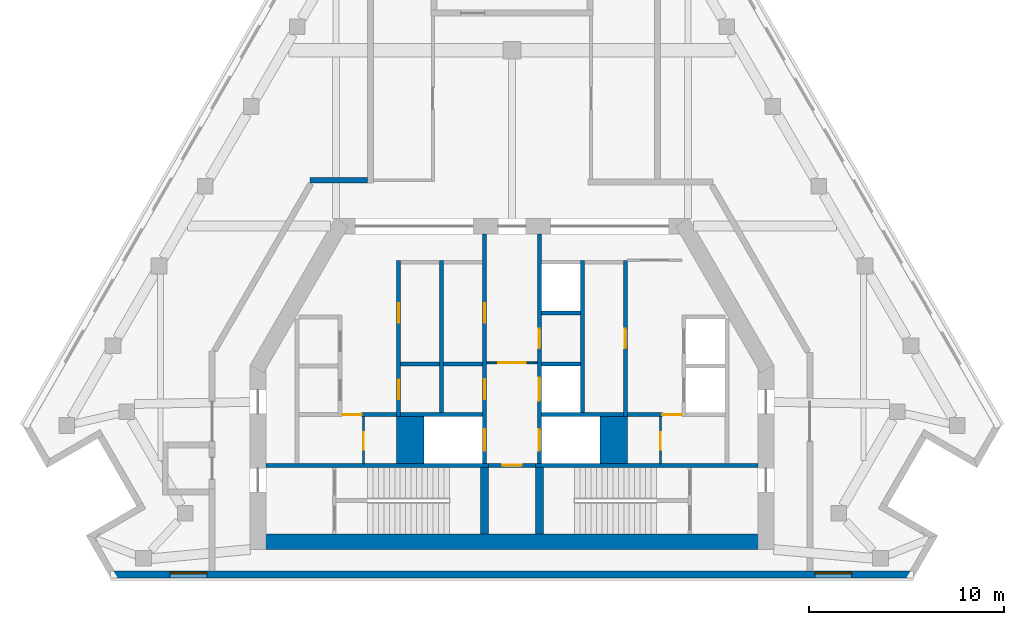
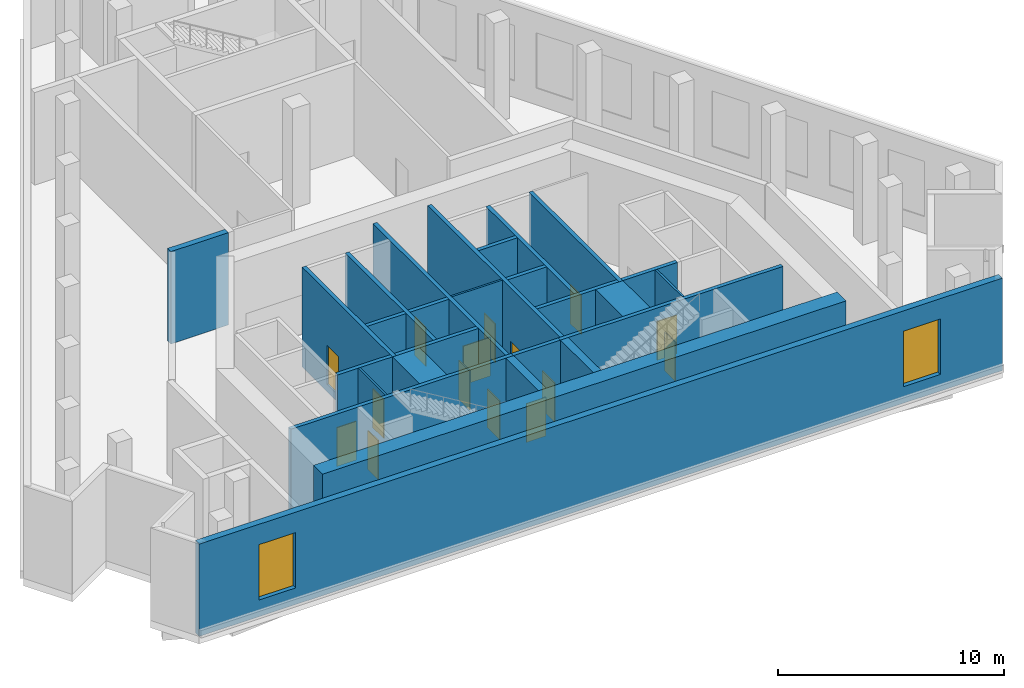
# One storey, part 3 of 8: 27 walls, 15 doors, 2 windows, 17 openings.
"""IFC4 building model written with IfcOpenShell, lengths in metres."""

import ifcopenshell
import ifcopenshell.guid

model = None  # the IFC model being written
_history = None  # IfcOwnerHistory: only IFC2X3 demands one
_inside = {}  # id of a spatial element -> (the spatial element, [elements in it])
_under = {}  # id of a project, library or spatial element -> (it, [spatial elements below it])
_declared = {}  # id of a project -> (the project, [libraries it declares])
_typed = {}  # id of a type object -> (the type object, [elements of that type])
_made_of = {}  # id of a material, layer set ... -> (it, [elements and type objects made of it])


def new_model(schema):
    """Start an empty IFC model of exactly this schema.

    Asked for "IFC4X3", IfcOpenShell would pick the latest addendum, in which some entities
    have other attributes; the version numbers below select the first issue.
    IFC2X3 requires an IfcOwnerHistory on every rooted entity: one is made here for all.
    """
    global model, _history
    if schema == "IFC4X3":
        model = ifcopenshell.file(schema_version=(4, 3, 0, 0))
    else:
        model = ifcopenshell.file(schema=schema)
    _inside.clear()
    _under.clear()
    _declared.clear()
    _typed.clear()
    _made_of.clear()
    _history = None
    if model.schema == "IFC2X3":
        org = make("IfcOrganization", Name="unknown")
        user = make(
            "IfcPersonAndOrganization",
            ThePerson=make("IfcPerson", FamilyName="unknown"),
            TheOrganization=org,
        )
        app = make(
            "IfcApplication",
            ApplicationDeveloper=org,
            Version="unknown",
            ApplicationFullName="unknown",
            ApplicationIdentifier="unknown",
        )
        _history = make(
            "IfcOwnerHistory",
            OwningUser=user,
            OwningApplication=app,
            ChangeAction="ADDED",
            CreationDate=0,
        )
    return model


def make(cls, **values):
    """One entity of the class cls with the attributes given. An attribute that is None is left unset."""
    return model.create_entity(
        cls, **{name: value for name, value in values.items() if value is not None}
    )


def rooted(cls, **values):
    """An entity with a GlobalId (a new one), such as an element, a storey or a relation."""
    return make(cls, GlobalId=ifcopenshell.guid.new(), OwnerHistory=_history, **values)


def si_unit(unit_type, name, prefix=None):
    """IfcSIUnit, for example si_unit("LENGTHUNIT", "METRE", prefix="MILLI")."""
    return make("IfcSIUnit", UnitType=unit_type, Prefix=prefix, Name=name)


def assignment(units):
    """IfcUnitAssignment: the units of a project."""
    return None if units is None else make("IfcUnitAssignment", Units=units)


def point(xyz):
    """IfcCartesianPoint."""
    return None if xyz is None else make("IfcCartesianPoint", Coordinates=xyz)


def direction(xyz):
    """IfcDirection."""
    return None if xyz is None else make("IfcDirection", DirectionRatios=xyz)


def frame(location, z_axis=None, x_axis=None):
    """IfcAxis2Placement3D, a coordinate frame: its origin and axes. An axis left out is left unset."""
    return make(
        "IfcAxis2Placement3D",
        Location=point(location),
        Axis=direction(z_axis),
        RefDirection=direction(x_axis),
    )


def frame_2d(location, x_axis=None):
    """IfcAxis2Placement2D, a coordinate frame in the plane: its origin and x axis."""
    return make(
        "IfcAxis2Placement2D", Location=point(location), RefDirection=direction(x_axis)
    )


def origin():
    """The frame at (0, 0, 0) with its axes left unset."""
    return frame((0.0, 0.0, 0.0))


def place(relative_to, where):
    """IfcLocalPlacement: puts the frame where relative to a parent placement (None: the world)."""
    return make(
        "IfcLocalPlacement", PlacementRelTo=relative_to, RelativePlacement=where
    )


def context(
    kind, dimensions, precision=None, world=None, true_north=None, identifier=None
):
    """IfcGeometricRepresentationContext, for example the 3D "Model" context."""
    return make(
        "IfcGeometricRepresentationContext",
        ContextIdentifier=identifier,
        ContextType=kind,
        CoordinateSpaceDimension=dimensions,
        Precision=precision,
        WorldCoordinateSystem=world,
        TrueNorth=true_north,
    )


def subcontext(parent, identifier, kind, view, scale=None):
    """IfcGeometricRepresentationSubContext, for example "Body" below "Model"."""
    return make(
        "IfcGeometricRepresentationSubContext",
        ContextIdentifier=identifier,
        ContextType=kind,
        ParentContext=parent,
        TargetScale=scale,
        TargetView=view,
    )


def project(units=None, contexts=None):
    """IfcProject with its units and contexts."""
    return rooted(
        "IfcProject",
        Name="project",
        RepresentationContexts=contexts,
        UnitsInContext=assignment(units),
    )


def spatial(cls, under=None, at=None, **own):
    """A site, building, storey or space (cls), placed at a placement, below another one or the project."""
    s = rooted(cls, ObjectPlacement=at, **own)
    if under is not None:
        _under.setdefault(under.id(), (under, []))[1].append(s)
    return s


def profile(cls, at=None, kind="AREA", **sizes):
    """A parametric profile (cls). Its sizes go by their IFC names, for example OverallWidth=200.0."""
    return make(cls, ProfileType=kind, Position=at, **sizes)


def rectangle(**sizes):
    """IfcRectangleProfileDef."""
    return profile("IfcRectangleProfileDef", **sizes)


def extrude(swept, where, along, depth):
    """IfcExtrudedAreaSolid: the profile swept, set in the frame where, extruded along a direction by depth."""
    return make(
        "IfcExtrudedAreaSolid",
        SweptArea=swept,
        Position=where,
        ExtrudedDirection=direction(along),
        Depth=depth,
    )


def shape(context_of_items, identifier, shape_type, items):
    """IfcShapeRepresentation: the items that make up one representation, for example the "Body"."""
    return make(
        "IfcShapeRepresentation",
        ContextOfItems=context_of_items,
        RepresentationIdentifier=identifier,
        RepresentationType=shape_type,
        Items=items,
    )


def material(Name=None, Category=None):
    """IfcMaterial."""
    return make("IfcMaterial", Name=Name, Category=Category)


def layer(
    of_material, thickness, ventilated=None, Name=None, Category=None, Priority=None
):
    """IfcMaterialLayer: one layer of a wall or slab, of a material (None: an air gap)."""
    return make(
        "IfcMaterialLayer",
        Material=of_material,
        LayerThickness=thickness,
        IsVentilated=ventilated,
        Name=Name,
        Category=Category,
        Priority=Priority,
    )


def layer_set(layers, Name=None):
    """IfcMaterialLayerSet."""
    return make("IfcMaterialLayerSet", MaterialLayers=layers, LayerSetName=Name)


def made_of(thing, what):
    """Note that an element or type object is made of a material, layer set ...; save() writes the relation."""
    if what is not None:
        _made_of.setdefault(what.id(), (what, []))[1].append(thing)
    return thing


def type_object(cls, material=None, **own):
    """A type object (cls), such as IfcWallType, which elements share."""
    return made_of(rooted(cls, **own), material)


def element(
    cls,
    number,
    at=None,
    inside=None,
    cuts=None,
    type_object=None,
    material=None,
    context=None,
    identifier="Body",
    shape_type=None,
    held_by="IfcProductDefinitionShape",
    body=None,
    shapes=None,
    **own,
):
    """One element of the class cls, such as IfcWall. Its Tag is "e" and its number.

    at: its placement. inside: the storey or other place that contains it. cuts: it is an
    opening in that element (IfcRelVoidsElement). A single representation is given by context,
    identifier, shape_type and body (its items); several are given by shapes. held_by: the class
    of the entity that holds the representations. save() writes the other relations.
    """
    e = rooted(cls, Tag="e%d" % number, ObjectPlacement=at, **own)
    if body is not None:
        shapes = [shape(context, identifier, shape_type, body)]
    if shapes is not None:
        e.Representation = make(held_by, Representations=shapes)
    if inside is not None:
        _inside.setdefault(inside.id(), (inside, []))[1].append(e)
    if cuts is not None:
        rooted(
            "IfcRelVoidsElement", RelatingBuildingElement=cuts, RelatedOpeningElement=e
        )
    if type_object is not None:
        _typed.setdefault(type_object.id(), (type_object, []))[1].append(e)
    return made_of(e, material)


def fill(opening, filler):
    """IfcRelFillsElement: the door or window that sits in an opening."""
    return rooted(
        "IfcRelFillsElement",
        RelatingOpeningElement=opening,
        RelatedBuildingElement=filler,
    )


def aggregate(whole, parts):
    """IfcRelAggregates: a whole, such as a stair, and the parts it consists of."""
    return rooted("IfcRelAggregates", RelatingObject=whole, RelatedObjects=parts)


def save(model, path):
    """Write the relations noted so far, then the file.

    IfcRelAggregates (storeys below a building ...), IfcRelContainedInSpatialStructure (elements
    in a storey), IfcRelDefinesByType, IfcRelAssociatesMaterial and IfcRelDeclares: one each for
    every whole, place, type object, material and project.
    """
    for whole, parts in _under.values():
        aggregate(whole, parts)
    for where, things in _inside.values():
        rooted(
            "IfcRelContainedInSpatialStructure",
            RelatedElements=things,
            RelatingStructure=where,
        )
    for kind, things in _typed.values():
        rooted("IfcRelDefinesByType", RelatedObjects=things, RelatingType=kind)
    for what, things in _made_of.values():
        rooted("IfcRelAssociatesMaterial", RelatedObjects=things, RelatingMaterial=what)
    for by, libraries in _declared.values():
        rooted("IfcRelDeclares", RelatingContext=by, RelatedDefinitions=libraries)
    model.write(path)


model = new_model("IFC4")

# Units and contexts
model_context = context("Model", 3, precision=1e-05, world=origin(), true_north=direction((0.0, 1.0)))
body_context = subcontext(model_context, "Body", "Model", "MODEL_VIEW")
ifc_project = project(units=[si_unit("LENGTHUNIT", "METRE"), si_unit("AREAUNIT", "SQUARE_METRE"), si_unit("VOLUMEUNIT", "CUBIC_METRE"), si_unit("PLANEANGLEUNIT", "RADIAN"), si_unit("MASSUNIT", "GRAM", prefix="KILO")], contexts=[model_context])

# Site, building, storey
site_placement = place(None, origin())
site = spatial("IfcSite", under=ifc_project, at=site_placement, CompositionType="ELEMENT")
building_placement = place(site_placement, origin())
building = spatial("IfcBuilding", under=site, at=building_placement, Name="Fogline Exchange Tower", CompositionType="ELEMENT")
storey_placement = place(building_placement, frame((0.0, 0.0, 304.5)))
storey = spatial("IfcBuildingStorey", under=building, at=storey_placement, Name="L69", CompositionType="ELEMENT", Elevation=304.5)

# Wall, opening, door
ifc_material_1 = material(Name="Blockwork partition", Category="masonry")
ifc_layer_1 = layer(ifc_material_1, 0.10009765625)
ifc_layer_set_1 = layer_set([ifc_layer_1], Name="CW10")
wall_type_1 = type_object("IfcWallType", Name="CW10", PredefinedType="PARTITIONING", material=ifc_layer_set_1)
wall_1_placement = place(storey_placement, frame((-7.60009765625, 5.85009765625, 0.0), z_axis=(0.0, 0.0, 1.0), x_axis=(0.0, 1.0, 0.0)))
wall_1 = element("IfcWall", 1, at=wall_1_placement, inside=storey, type_object=wall_type_1, Name="WC partition", PredefinedType="PARTITIONING", context=body_context, shape_type="SweptSolid", body=[
    extrude(rectangle(XDim=2.39990234375, YDim=0.10009765625, at=frame_2d((1.199951171875, 0.0))), origin(), (0.0, 0.0, 1.0), 5.0),
])
opening_1_placement = place(wall_1_placement, frame((0.699951171875, 0.0, 0.0)))
opening_1 = element("IfcOpeningElement", 2, at=opening_1_placement, cuts=wall_1, Name="Opening L69-C011", PredefinedType="OPENING", context=body_context, shape_type="SweptSolid", body=[
    extrude(rectangle(XDim=0.89990234375, YDim=2.10009765625, at=frame_2d((0.449951171875, 1.050048828125))), frame((0.0, 0.06005859375, 0.0), z_axis=(0.0, -1.0, 0.0), x_axis=(1.0, 0.0, 0.0)), (0.0, 0.0, 1.0), 0.1201171875),
])
ifc_material_2 = material(Name="Steel and timber fire door", Category="steel")
door_type_1 = type_object("IfcDoorType", Name="D-CS1", OperationType="SINGLE_SWING_RIGHT", PredefinedType="DOOR", material=ifc_material_2)
door_1_placement = place(opening_1_placement, frame((0.89990234375, 0.0, 0.0), z_axis=(0.0, 0.0, 1.0), x_axis=(-1.0, 0.0, 0.0)))
door_1 = element("IfcDoor", 3, at=door_1_placement, inside=storey, type_object=door_type_1, Name="Door to Plumbing Plant Room", OperationType="SINGLE_SWING_RIGHT", OverallHeight=2.10009765625, OverallWidth=0.89990234375, PredefinedType="DOOR", context=body_context, shape_type="SweptSolid", body=[
    extrude(rectangle(XDim=0.89990234375, YDim=2.10009765625, at=frame_2d((0.449951171875, 1.050048828125))), frame((0.0, 0.02490234375, 0.0), z_axis=(0.0, -1.0, 0.0), x_axis=(1.0, 0.0, 0.0)), (0.0, 0.0, 1.0), 0.050048828125),
])
fill(opening_1, door_1)

wall_2_placement = place(storey_placement, frame((7.60009765625, 5.85009765625, 0.0), z_axis=(0.0, 0.0, 1.0), x_axis=(0.0, 1.0, 0.0)))
wall_2 = element("IfcWall", 4, at=wall_2_placement, inside=storey, type_object=wall_type_1, Name="WC partition", PredefinedType="PARTITIONING", context=body_context, shape_type="SweptSolid", body=[
    extrude(rectangle(XDim=2.39990234375, YDim=0.10009765625, at=frame_2d((1.199951171875, 0.0))), origin(), (0.0, 0.0, 1.0), 5.0),
])
opening_2_placement = place(wall_2_placement, frame((0.699951171875, 0.0, 0.0)))
opening_2 = element("IfcOpeningElement", 5, at=opening_2_placement, cuts=wall_2, Name="Opening L69-C017", PredefinedType="OPENING", context=body_context, shape_type="SweptSolid", body=[
    extrude(rectangle(XDim=0.89990234375, YDim=2.10009765625, at=frame_2d((0.449951171875, 1.050048828125))), frame((0.0, 0.06005859375, 0.0), z_axis=(0.0, -1.0, 0.0), x_axis=(1.0, 0.0, 0.0)), (0.0, 0.0, 1.0), 0.1201171875),
])
door_2_placement = place(opening_2_placement, origin())
door_2 = element("IfcDoor", 6, at=door_2_placement, inside=storey, type_object=door_type_1, Name="Door to AHU Room", OperationType="SINGLE_SWING_LEFT", OverallHeight=2.10009765625, OverallWidth=0.89990234375, PredefinedType="DOOR", context=body_context, shape_type="SweptSolid", body=[
    extrude(rectangle(XDim=0.89990234375, YDim=2.10009765625, at=frame_2d((0.449951171875, 1.050048828125))), frame((0.0, 0.02490234375, 0.0), z_axis=(0.0, -1.0, 0.0), x_axis=(1.0, 0.0, 0.0)), (0.0, 0.0, 1.0), 0.050048828125),
])
fill(opening_2, door_2)

wall_3_placement = place(storey_placement, frame((-1.300048828125, 11.0, 0.0), z_axis=(0.0, 0.0, 1.0), x_axis=(1.0, 0.0, 0.0)))
wall_3 = element("IfcWall", 7, at=wall_3_placement, inside=storey, type_object=wall_type_1, Name="Lift lobby partition", PredefinedType="PARTITIONING", context=body_context, shape_type="SweptSolid", body=[
    extrude(rectangle(XDim=2.60009765625, YDim=0.10009765625, at=frame_2d((1.300048828125, 0.0))), origin(), (0.0, 0.0, 1.0), 5.0),
])
opening_3_placement = place(wall_3_placement, frame((0.60009765625, 0.0, 0.0)))
opening_3 = element("IfcOpeningElement", 8, at=opening_3_placement, cuts=wall_3, Name="Opening L69-C021", PredefinedType="OPENING", context=body_context, shape_type="SweptSolid", body=[
    extrude(rectangle(XDim=1.39990234375, YDim=2.10009765625, at=frame_2d((0.699951171875, 1.050048828125))), frame((0.0, 0.06005859375, 0.0), z_axis=(0.0, -1.0, 0.0), x_axis=(1.0, 0.0, 0.0)), (0.0, 0.0, 1.0), 0.1201171875),
])
door_type_2 = type_object("IfcDoorType", Name="D-LB1", OperationType="DOUBLE_DOOR_SINGLE_SWING", PredefinedType="DOOR", material=ifc_material_2)
door_3_placement = place(opening_3_placement, frame((1.39990234375, 0.0, 0.0), z_axis=(0.0, 0.0, 1.0), x_axis=(-1.0, 0.0, 0.0)))
door_3 = element("IfcDoor", 9, at=door_3_placement, inside=storey, type_object=door_type_2, Name="Door to firefighting lift lobby", OperationType="DOUBLE_DOOR_SINGLE_SWING", OverallHeight=2.10009765625, OverallWidth=1.39990234375, PredefinedType="DOOR", context=body_context, shape_type="SweptSolid", body=[
    extrude(rectangle(XDim=1.39990234375, YDim=2.10009765625, at=frame_2d((0.699951171875, 1.050048828125))), frame((0.0, 0.02490234375, 0.0), z_axis=(0.0, -1.0, 0.0), x_axis=(1.0, 0.0, 0.0)), (0.0, 0.0, 1.0), 0.050048828125),
])
fill(opening_3, door_3)

# Walls
ifc_material_3 = material(Name="Concrete C60", Category="concrete")
ifc_layer_2 = layer(ifc_material_3, 1.39990234375)
ifc_layer_set_2 = layer_set([ifc_layer_2], Name="CW140")
wall_type_2 = type_object("IfcWallType", Name="CW140", PredefinedType="SOLIDWALL", material=ifc_layer_set_2)
for number, where, z_axis, x_axis, name in (
    (10, (-5.199951171875, 5.85009765625, -0.39990234375), (0.0, 0.0, 1.0), (0.0, 1.0, 0.0), "Lift shaft block wall"),
    (11, (5.199951171875, 5.85009765625, -0.39990234375), (0.0, 0.0, 1.0), (0.0, 1.0, 0.0), "Lift shaft block wall"),
):
    element("IfcWall", number, at=place(storey_placement, frame(where, z_axis=z_axis, x_axis=x_axis)), inside=storey, type_object=wall_type_2, Name=name, PredefinedType="SOLIDWALL", context=body_context, shape_type="SweptSolid", body=[
        extrude(rectangle(XDim=2.39990234375, YDim=1.39990234375, at=frame_2d((1.199951171875, 0.0))), origin(), (0.0, 0.0, 1.0), 5.39990234375),
    ])
ifc_material_4 = material(Name="Concrete C40", Category="concrete")
ifc_layer_3 = layer(ifc_material_4, 0.199951171875)
ifc_layer_set_3 = layer_set([ifc_layer_3], Name="CW20")
wall_type_3 = type_object("IfcWallType", Name="CW20", PredefinedType="SOLIDWALL", material=ifc_layer_set_3)
for number, where, z_axis, x_axis, name in (
    (12, (-5.699951171875, 10.949951171875, 0.0), (0.0, 0.0, 1.0), (1.0, 0.0, 0.0), "Service room wall"),
    (13, (-3.5, 10.949951171875, 0.0), (0.0, 0.0, 1.0), (1.0, 0.0, 0.0), "Service room wall"),
):
    element("IfcWall", number, at=place(storey_placement, frame(where, z_axis=z_axis, x_axis=x_axis)), inside=storey, type_object=wall_type_3, Name=name, PredefinedType="SOLIDWALL", context=body_context, shape_type="SweptSolid", body=[
        extrude(rectangle(XDim=2.0, YDim=0.199951171875, at=frame_2d((1.0, 0.0))), origin(), (0.0, 0.0, 1.0), 5.0),
    ])

# Wall, opening, door
wall_4_placement = place(storey_placement, frame((-8.699951171875, 8.35009765625, 0.0), z_axis=(0.0, 0.0, 1.0), x_axis=(1.0, 0.0, 0.0)))
wall_4 = element("IfcWall", 14, at=wall_4_placement, inside=storey, type_object=wall_type_3, Name="WC wall", PredefinedType="SOLIDWALL", context=body_context, shape_type="SweptSolid", body=[
    extrude(rectangle(XDim=2.800048828125, YDim=0.199951171875, at=frame_2d((1.39990234375, 0.0))), origin(), (0.0, 0.0, 1.0), 5.0),
])
opening_4_placement = place(wall_4_placement, origin())
opening_4 = element("IfcOpeningElement", 15, at=opening_4_placement, cuts=wall_4, Name="Opening L69-C010", PredefinedType="OPENING", context=body_context, shape_type="SweptSolid", body=[
    extrude(rectangle(XDim=1.0, YDim=2.10009765625, at=frame_2d((0.5, 1.050048828125))), frame((0.0, 0.10986328125, 0.0), z_axis=(0.0, -1.0, 0.0), x_axis=(1.0, 0.0, 0.0)), (0.0, 0.0, 1.0), 0.219970703125),
])
door_type_3 = type_object("IfcDoorType", Name="D-WC1", OperationType="SINGLE_SWING_LEFT", PredefinedType="DOOR", material=ifc_material_2)
door_4_placement = place(opening_4_placement, frame((1.0, 0.0, 0.0), z_axis=(0.0, 0.0, 1.0), x_axis=(-1.0, 0.0, 0.0)))
door_4 = element("IfcDoor", 16, at=door_4_placement, inside=storey, type_object=door_type_3, Name="Door to Men's WC", OperationType="SINGLE_SWING_LEFT", OverallHeight=2.10009765625, OverallWidth=1.0, PredefinedType="DOOR", context=body_context, shape_type="SweptSolid", body=[
    extrude(rectangle(XDim=1.0, YDim=2.10009765625, at=frame_2d((0.5, 1.050048828125))), frame((0.0, 0.02490234375, 0.0), z_axis=(0.0, -1.0, 0.0), x_axis=(1.0, 0.0, 0.0)), (0.0, 0.0, 1.0), 0.050048828125),
])
fill(opening_4, door_4)

wall_5_placement = place(storey_placement, frame((5.89990234375, 8.35009765625, 0.0), z_axis=(0.0, 0.0, 1.0), x_axis=(1.0, 0.0, 0.0)))
wall_5 = element("IfcWall", 17, at=wall_5_placement, inside=storey, type_object=wall_type_3, Name="WC wall", PredefinedType="SOLIDWALL", context=body_context, shape_type="SweptSolid", body=[
    extrude(rectangle(XDim=2.800048828125, YDim=0.199951171875, at=frame_2d((1.39990234375, 0.0))), origin(), (0.0, 0.0, 1.0), 5.0),
])
opening_5_placement = place(wall_5_placement, frame((1.800048828125, 0.0, 0.0)))
opening_5 = element("IfcOpeningElement", 18, at=opening_5_placement, cuts=wall_5, Name="Opening L69-C016", PredefinedType="OPENING", context=body_context, shape_type="SweptSolid", body=[
    extrude(rectangle(XDim=1.0, YDim=2.10009765625, at=frame_2d((0.5, 1.050048828125))), frame((0.0, 0.10986328125, 0.0), z_axis=(0.0, -1.0, 0.0), x_axis=(1.0, 0.0, 0.0)), (0.0, 0.0, 1.0), 0.219970703125),
])
door_5_placement = place(opening_5_placement, frame((1.0, 0.0, 0.0), z_axis=(0.0, 0.0, 1.0), x_axis=(-1.0, 0.0, 0.0)))
door_5 = element("IfcDoor", 19, at=door_5_placement, inside=storey, type_object=door_type_3, Name="Door to Women's WC", OperationType="SINGLE_SWING_LEFT", OverallHeight=2.10009765625, OverallWidth=1.0, PredefinedType="DOOR", context=body_context, shape_type="SweptSolid", body=[
    extrude(rectangle(XDim=1.0, YDim=2.10009765625, at=frame_2d((0.5, 1.050048828125))), frame((0.0, 0.02490234375, 0.0), z_axis=(0.0, -1.0, 0.0), x_axis=(1.0, 0.0, 0.0)), (0.0, 0.0, 1.0), 0.050048828125),
])
fill(opening_5, door_5)

# Wall
ifc_layer_4 = layer(ifc_material_4, 0.199951171875)
ifc_layer_set_4 = layer_set([ifc_layer_4], Name="CW20R")
wall_type_4 = type_object("IfcWallType", Name="CW20R", PredefinedType="SOLIDWALL", material=ifc_layer_set_4)
wall_6_placement = place(storey_placement, frame((-12.60009765625, 5.75, -0.39990234375), z_axis=(0.0, 0.0, 1.0), x_axis=(1.0, 0.0, 0.0)))
element("IfcWall", 20, at=wall_6_placement, inside=storey, type_object=wall_type_4, Name="Stair enclosure wall", PredefinedType="SOLIDWALL", context=body_context, shape_type="SweptSolid", body=[
    extrude(rectangle(XDim=11.400146484375, YDim=0.199951171875, at=frame_2d((5.7001953125, 0.0))), origin(), (0.0, 0.0, 1.0), 5.39990234375),
])

# Wall, opening, door
wall_7_placement = place(storey_placement, frame((-1.199951171875, 5.75, -0.39990234375), z_axis=(0.0, 0.0, 1.0), x_axis=(1.0, 0.0, 0.0)))
wall_7 = element("IfcWall", 21, at=wall_7_placement, inside=storey, type_object=wall_type_4, Name="Stair enclosure wall", PredefinedType="SOLIDWALL", context=body_context, shape_type="SweptSolid", body=[
    extrude(rectangle(XDim=2.39990234375, YDim=0.199951171875, at=frame_2d((1.199951171875, 0.0))), origin(), (0.0, 0.0, 1.0), 5.39990234375),
])
opening_6_placement = place(wall_7_placement, frame((0.699951171875, 0.0, 0.39990234375)))
opening_6 = element("IfcOpeningElement", 22, at=opening_6_placement, cuts=wall_7, Name="Opening L69-C009", PredefinedType="OPENING", context=body_context, shape_type="SweptSolid", body=[
    extrude(rectangle(XDim=1.0, YDim=2.10009765625, at=frame_2d((0.5, 1.050048828125))), frame((0.0, 0.10986328125, 0.0), z_axis=(0.0, -1.0, 0.0), x_axis=(1.0, 0.0, 0.0)), (0.0, 0.0, 1.0), 0.219970703125),
])
door_type_4 = type_object("IfcDoorType", Name="D-RM1", OperationType="SINGLE_SWING_LEFT", PredefinedType="DOOR", material=ifc_material_2)
door_6_placement = place(opening_6_placement, frame((1.0, 0.0, 0.0), z_axis=(0.0, 0.0, 1.0), x_axis=(-1.0, 0.0, 0.0)))
door_6 = element("IfcDoor", 23, at=door_6_placement, inside=storey, type_object=door_type_4, Name="Door to Pump Plant Room", OperationType="SINGLE_SWING_RIGHT", OverallHeight=2.10009765625, OverallWidth=1.0, PredefinedType="DOOR", context=body_context, shape_type="SweptSolid", body=[
    extrude(rectangle(XDim=1.0, YDim=2.10009765625, at=frame_2d((0.5, 1.050048828125))), frame((0.0, 0.02490234375, 0.0), z_axis=(0.0, -1.0, 0.0), x_axis=(1.0, 0.0, 0.0)), (0.0, 0.0, 1.0), 0.050048828125),
])
fill(opening_6, door_6)

# Wall
wall_8_placement = place(storey_placement, frame((1.199951171875, 5.75, -0.39990234375), z_axis=(0.0, 0.0, 1.0), x_axis=(1.0, 0.0, 0.0)))
element("IfcWall", 24, at=wall_8_placement, inside=storey, type_object=wall_type_4, Name="Stair enclosure wall", PredefinedType="SOLIDWALL", context=body_context, shape_type="SweptSolid", body=[
    extrude(rectangle(XDim=11.400146484375, YDim=0.199951171875, at=frame_2d((5.7001953125, 0.0))), origin(), (0.0, 0.0, 1.0), 5.39990234375),
])

# Wall, openings, doors
ifc_layer_5 = layer(ifc_material_4, 0.199951171875)
ifc_layer_set_5 = layer_set([ifc_layer_5], Name="CW20S")
wall_type_5 = type_object("IfcWallType", Name="CW20S", PredefinedType="SOLIDWALL", material=ifc_layer_set_5)
wall_9_placement = place(storey_placement, frame((-5.800048828125, 8.25, -0.39990234375), z_axis=(0.0, 0.0, 1.0), x_axis=(0.0, 1.0, 0.0)))
wall_9 = element("IfcWall", 25, at=wall_9_placement, inside=storey, type_object=wall_type_5, Name="Lift shaft wall", PredefinedType="SOLIDWALL", context=body_context, shape_type="SweptSolid", body=[
    extrude(rectangle(XDim=8.0, YDim=0.199951171875, at=frame_2d((4.0, 0.0))), origin(), (0.0, 0.0, 1.0), 5.39990234375),
])
opening_7_placement = place(wall_9_placement, frame((0.89990234375, 0.0, 0.39990234375)))
opening_7 = element("IfcOpeningElement", 26, at=opening_7_placement, cuts=wall_9, Name="Opening L69-C003", PredefinedType="OPENING", context=body_context, shape_type="SweptSolid", body=[
    extrude(rectangle(XDim=1.0, YDim=2.10009765625, at=frame_2d((0.5, 1.050048828125))), frame((0.0, 0.10986328125, 0.0), z_axis=(0.0, -1.0, 0.0), x_axis=(1.0, 0.0, 0.0)), (0.0, 0.0, 1.0), 0.219970703125),
])
opening_8_placement = place(wall_9_placement, frame((4.800048828125, 0.0, 0.39990234375)))
opening_8 = element("IfcOpeningElement", 27, at=opening_8_placement, cuts=wall_9, Name="Opening L69-C004", PredefinedType="OPENING", context=body_context, shape_type="SweptSolid", body=[
    extrude(rectangle(XDim=1.0, YDim=2.10009765625, at=frame_2d((0.5, 1.050048828125))), frame((0.0, 0.10986328125, 0.0), z_axis=(0.0, -1.0, 0.0), x_axis=(1.0, 0.0, 0.0)), (0.0, 0.0, 1.0), 0.219970703125),
])
door_7_placement = place(opening_7_placement, frame((1.0, 0.0, 0.0), z_axis=(0.0, 0.0, 1.0), x_axis=(-1.0, 0.0, 0.0)))
door_7 = element("IfcDoor", 28, at=door_7_placement, inside=storey, type_object=door_type_4, Name="Door to Switch Room", OperationType="SINGLE_SWING_LEFT", OverallHeight=2.10009765625, OverallWidth=1.0, PredefinedType="DOOR", context=body_context, shape_type="SweptSolid", body=[
    extrude(rectangle(XDim=1.0, YDim=2.10009765625, at=frame_2d((0.5, 1.050048828125))), frame((0.0, 0.02490234375, 0.0), z_axis=(0.0, -1.0, 0.0), x_axis=(1.0, 0.0, 0.0)), (0.0, 0.0, 1.0), 0.050048828125),
])
fill(opening_7, door_7)
door_8_placement = place(opening_8_placement, frame((1.0, 0.0, 0.0), z_axis=(0.0, 0.0, 1.0), x_axis=(-1.0, 0.0, 0.0)))
door_8 = element("IfcDoor", 29, at=door_8_placement, inside=storey, type_object=door_type_4, Name="Door to Mechanical Plant Room", OperationType="SINGLE_SWING_RIGHT", OverallHeight=2.10009765625, OverallWidth=1.0, PredefinedType="DOOR", context=body_context, shape_type="SweptSolid", body=[
    extrude(rectangle(XDim=1.0, YDim=2.10009765625, at=frame_2d((0.5, 1.050048828125))), frame((0.0, 0.02490234375, 0.0), z_axis=(0.0, -1.0, 0.0), x_axis=(1.0, 0.0, 0.0)), (0.0, 0.0, 1.0), 0.050048828125),
])
fill(opening_8, door_8)

# Wall, opening, door
wall_10_placement = place(storey_placement, frame((5.800048828125, 8.25, -0.39990234375), z_axis=(0.0, 0.0, 1.0), x_axis=(0.0, 1.0, 0.0)))
wall_10 = element("IfcWall", 30, at=wall_10_placement, inside=storey, type_object=wall_type_5, Name="Lift shaft wall", PredefinedType="SOLIDWALL", context=body_context, shape_type="SweptSolid", body=[
    extrude(rectangle(XDim=8.0, YDim=0.199951171875, at=frame_2d((4.0, 0.0))), origin(), (0.0, 0.0, 1.0), 5.39990234375),
])
opening_9_placement = place(wall_10_placement, frame((3.5, 0.0, 0.39990234375)))
opening_9 = element("IfcOpeningElement", 31, at=opening_9_placement, cuts=wall_10, Name="Opening L69-C007", PredefinedType="OPENING", context=body_context, shape_type="SweptSolid", body=[
    extrude(rectangle(XDim=1.0, YDim=2.10009765625, at=frame_2d((0.5, 1.050048828125))), frame((0.0, 0.10986328125, 0.0), z_axis=(0.0, -1.0, 0.0), x_axis=(1.0, 0.0, 0.0)), (0.0, 0.0, 1.0), 0.219970703125),
])
door_9_placement = place(opening_9_placement, origin())
door_9 = element("IfcDoor", 32, at=door_9_placement, inside=storey, type_object=door_type_4, Name="Door to Pantry", OperationType="SINGLE_SWING_LEFT", OverallHeight=2.10009765625, OverallWidth=1.0, PredefinedType="DOOR", context=body_context, shape_type="SweptSolid", body=[
    extrude(rectangle(XDim=1.0, YDim=2.10009765625, at=frame_2d((0.5, 1.050048828125))), frame((0.0, 0.02490234375, 0.0), z_axis=(0.0, -1.0, 0.0), x_axis=(1.0, 0.0, 0.0)), (0.0, 0.0, 1.0), 0.050048828125),
])
fill(opening_9, door_9)

# Walls
for number, where, z_axis, x_axis, name in (
    (33, (-3.60009765625, 8.449951171875, -0.39990234375), (0.0, 0.0, 1.0), (0.0, 1.0, 0.0), "Lift shaft wall"),
    (34, (3.60009765625, 8.449951171875, -0.39990234375), (0.0, 0.0, 1.0), (0.0, 1.0, 0.0), "Lift shaft wall"),
):
    element("IfcWall", number, at=place(storey_placement, frame(where, z_axis=z_axis, x_axis=x_axis)), inside=storey, type_object=wall_type_5, Name=name, PredefinedType="SOLIDWALL", context=body_context, shape_type="SweptSolid", body=[
        extrude(rectangle(XDim=7.800048828125, YDim=0.199951171875, at=frame_2d((3.89990234375, 0.0))), origin(), (0.0, 0.0, 1.0), 5.39990234375),
    ])

# Wall, openings, doors
wall_11_placement = place(storey_placement, frame((-1.39990234375, 5.85009765625, -0.39990234375), z_axis=(0.0, 0.0, 1.0), x_axis=(0.0, 1.0, 0.0)))
wall_11 = element("IfcWall", 35, at=wall_11_placement, inside=storey, type_object=wall_type_5, Name="Lift lobby wall", PredefinedType="SOLIDWALL", context=body_context, shape_type="SweptSolid", body=[
    extrude(rectangle(XDim=11.75, YDim=0.199951171875, at=frame_2d((5.875, 0.0))), origin(), (0.0, 0.0, 1.0), 5.39990234375),
])
opening_10_placement = place(wall_11_placement, frame((0.64990234375, 0.0, 0.39990234375)))
opening_10 = element("IfcOpeningElement", 36, at=opening_10_placement, cuts=wall_11, Name="Opening L69-LD01", PredefinedType="OPENING", context=body_context, shape_type="SweptSolid", body=[
    extrude(rectangle(XDim=1.10009765625, YDim=2.10009765625, at=frame_2d((0.550048828125, 1.050048828125))), frame((0.0, 0.10986328125, 0.0), z_axis=(0.0, -1.0, 0.0), x_axis=(1.0, 0.0, 0.0)), (0.0, 0.0, 1.0), 0.219970703125),
])
opening_11_placement = place(wall_11_placement, frame((3.300048828125, 0.0, 0.39990234375)))
opening_11 = element("IfcOpeningElement", 37, at=opening_11_placement, cuts=wall_11, Name="Opening L69-C005", PredefinedType="OPENING", context=body_context, shape_type="SweptSolid", body=[
    extrude(rectangle(XDim=1.0, YDim=2.10009765625, at=frame_2d((0.5, 1.050048828125))), frame((0.0, 0.10986328125, 0.0), z_axis=(0.0, -1.0, 0.0), x_axis=(1.0, 0.0, 0.0)), (0.0, 0.0, 1.0), 0.219970703125),
])
opening_12_placement = place(wall_11_placement, frame((7.199951171875, 0.0, 0.39990234375)))
opening_12 = element("IfcOpeningElement", 38, at=opening_12_placement, cuts=wall_11, Name="Opening L69-C006", PredefinedType="OPENING", context=body_context, shape_type="SweptSolid", body=[
    extrude(rectangle(XDim=1.0, YDim=2.10009765625, at=frame_2d((0.5, 1.050048828125))), frame((0.0, 0.10986328125, 0.0), z_axis=(0.0, -1.0, 0.0), x_axis=(1.0, 0.0, 0.0)), (0.0, 0.0, 1.0), 0.219970703125),
])
door_10_placement = place(opening_11_placement, origin())
door_10 = element("IfcDoor", 39, at=door_10_placement, inside=storey, type_object=door_type_4, Name="Door to Plumbing Plant Room", OperationType="SINGLE_SWING_LEFT", OverallHeight=2.10009765625, OverallWidth=1.0, PredefinedType="DOOR", context=body_context, shape_type="SweptSolid", body=[
    extrude(rectangle(XDim=1.0, YDim=2.10009765625, at=frame_2d((0.5, 1.050048828125))), frame((0.0, 0.02490234375, 0.0), z_axis=(0.0, -1.0, 0.0), x_axis=(1.0, 0.0, 0.0)), (0.0, 0.0, 1.0), 0.050048828125),
])
fill(opening_11, door_10)
door_11_placement = place(opening_12_placement, origin())
door_11 = element("IfcDoor", 40, at=door_11_placement, inside=storey, type_object=door_type_4, Name="Door to Pump Plant Room", OperationType="SINGLE_SWING_LEFT", OverallHeight=2.10009765625, OverallWidth=1.0, PredefinedType="DOOR", context=body_context, shape_type="SweptSolid", body=[
    extrude(rectangle(XDim=1.0, YDim=2.10009765625, at=frame_2d((0.5, 1.050048828125))), frame((0.0, 0.02490234375, 0.0), z_axis=(0.0, -1.0, 0.0), x_axis=(1.0, 0.0, 0.0)), (0.0, 0.0, 1.0), 0.050048828125),
])
fill(opening_12, door_11)
door_type_5 = type_object("IfcDoorType", Name="LD2", OperationType="SLIDING_TO_RIGHT", PredefinedType="DOOR", material=ifc_material_2)
door_12_placement = place(opening_10_placement, origin())
door_12 = element("IfcDoor", 41, at=door_12_placement, inside=storey, type_object=door_type_5, Name="Landing door FF1", OperationType="SLIDING_TO_RIGHT", OverallHeight=2.10009765625, OverallWidth=1.10009765625, PredefinedType="DOOR", context=body_context, shape_type="SweptSolid", body=[
    extrude(rectangle(XDim=1.10009765625, YDim=2.10009765625, at=frame_2d((0.550048828125, 1.050048828125))), frame((0.0, 0.02490234375, 0.0), z_axis=(0.0, -1.0, 0.0), x_axis=(1.0, 0.0, 0.0)), (0.0, 0.0, 1.0), 0.050048828125),
])
fill(opening_10, door_12)

wall_12_placement = place(storey_placement, frame((1.39990234375, 5.85009765625, -0.39990234375), z_axis=(0.0, 0.0, 1.0), x_axis=(0.0, 1.0, 0.0)))
wall_12 = element("IfcWall", 42, at=wall_12_placement, inside=storey, type_object=wall_type_5, Name="Lift lobby wall", PredefinedType="SOLIDWALL", context=body_context, shape_type="SweptSolid", body=[
    extrude(rectangle(XDim=11.75, YDim=0.199951171875, at=frame_2d((5.875, 0.0))), origin(), (0.0, 0.0, 1.0), 5.39990234375),
])
opening_13_placement = place(wall_12_placement, frame((3.199951171875, 0.0, 0.39990234375)))
opening_13 = element("IfcOpeningElement", 43, at=opening_13_placement, cuts=wall_12, Name="Opening L69-LD04", PredefinedType="OPENING", context=body_context, shape_type="SweptSolid", body=[
    extrude(rectangle(XDim=1.199951171875, YDim=2.10009765625, at=frame_2d((0.60009765625, 1.050048828125))), frame((0.0, 0.10986328125, 0.0), z_axis=(0.0, -1.0, 0.0), x_axis=(1.0, 0.0, 0.0)), (0.0, 0.0, 1.0), 0.219970703125),
])
opening_14_placement = place(wall_12_placement, frame((0.64990234375, 0.0, 0.39990234375)))
opening_14 = element("IfcOpeningElement", 44, at=opening_14_placement, cuts=wall_12, Name="Opening L69-LD05", PredefinedType="OPENING", context=body_context, shape_type="SweptSolid", body=[
    extrude(rectangle(XDim=1.10009765625, YDim=2.10009765625, at=frame_2d((0.550048828125, 1.050048828125))), frame((0.0, 0.10986328125, 0.0), z_axis=(0.0, -1.0, 0.0), x_axis=(1.0, 0.0, 0.0)), (0.0, 0.0, 1.0), 0.219970703125),
])
opening_15_placement = place(wall_12_placement, frame((5.89990234375, 0.0, 0.39990234375)))
opening_15 = element("IfcOpeningElement", 45, at=opening_15_placement, cuts=wall_12, Name="Opening L69-C008", PredefinedType="OPENING", context=body_context, shape_type="SweptSolid", body=[
    extrude(rectangle(XDim=1.0, YDim=2.10009765625, at=frame_2d((0.5, 1.050048828125))), frame((0.0, 0.10986328125, 0.0), z_axis=(0.0, -1.0, 0.0), x_axis=(1.0, 0.0, 0.0)), (0.0, 0.0, 1.0), 0.219970703125),
])
door_13_placement = place(opening_15_placement, frame((1.0, 0.0, 0.0), z_axis=(0.0, 0.0, 1.0), x_axis=(-1.0, 0.0, 0.0)))
door_13 = element("IfcDoor", 46, at=door_13_placement, inside=storey, type_object=door_type_4, Name="Door to Switch Room", OperationType="SINGLE_SWING_RIGHT", OverallHeight=2.10009765625, OverallWidth=1.0, PredefinedType="DOOR", context=body_context, shape_type="SweptSolid", body=[
    extrude(rectangle(XDim=1.0, YDim=2.10009765625, at=frame_2d((0.5, 1.050048828125))), frame((0.0, 0.02490234375, 0.0), z_axis=(0.0, -1.0, 0.0), x_axis=(1.0, 0.0, 0.0)), (0.0, 0.0, 1.0), 0.050048828125),
])
fill(opening_15, door_13)
door_type_6 = type_object("IfcDoorType", Name="LD1", OperationType="SLIDING_TO_LEFT", PredefinedType="DOOR", material=ifc_material_2)
door_14_placement = place(opening_13_placement, origin())
door_14 = element("IfcDoor", 47, at=door_14_placement, inside=storey, type_object=door_type_6, Name="Landing door HR3", OperationType="SLIDING_TO_LEFT", OverallHeight=2.10009765625, OverallWidth=1.199951171875, PredefinedType="DOOR", context=body_context, shape_type="SweptSolid", body=[
    extrude(rectangle(XDim=1.199951171875, YDim=2.10009765625, at=frame_2d((0.60009765625, 1.050048828125))), frame((0.0, 0.02490234375, 0.0), z_axis=(0.0, -1.0, 0.0), x_axis=(1.0, 0.0, 0.0)), (0.0, 0.0, 1.0), 0.050048828125),
])
fill(opening_13, door_14)
door_15_placement = place(opening_14_placement, origin())
door_15 = element("IfcDoor", 48, at=door_15_placement, inside=storey, type_object=door_type_5, Name="Landing door FF2", OperationType="SLIDING_TO_RIGHT", OverallHeight=2.10009765625, OverallWidth=1.10009765625, PredefinedType="DOOR", context=body_context, shape_type="SweptSolid", body=[
    extrude(rectangle(XDim=1.10009765625, YDim=2.10009765625, at=frame_2d((0.550048828125, 1.050048828125))), frame((0.0, 0.02490234375, 0.0), z_axis=(0.0, -1.0, 0.0), x_axis=(1.0, 0.0, 0.0)), (0.0, 0.0, 1.0), 0.050048828125),
])
fill(opening_14, door_15)

# Walls
for number, where, z_axis, x_axis, name in (
    (49, (-5.699951171875, 8.35009765625, -0.39990234375), (0.0, 0.0, 1.0), (1.0, 0.0, 0.0), "Lift shaft wall"),
    (50, (1.5, 8.35009765625, -0.39990234375), (0.0, 0.0, 1.0), (1.0, 0.0, 0.0), "Lift shaft wall"),
):
    element("IfcWall", number, at=place(storey_placement, frame(where, z_axis=z_axis, x_axis=x_axis)), inside=storey, type_object=wall_type_5, Name=name, PredefinedType="SOLIDWALL", context=body_context, shape_type="SweptSolid", body=[
        extrude(rectangle(XDim=4.199951171875, YDim=0.199951171875, at=frame_2d((2.10009765625, 0.0))), origin(), (0.0, 0.0, 1.0), 5.39990234375),
    ])
for number, where, z_axis, x_axis, name in (
    (51, (1.5, 10.949951171875, -0.39990234375), (0.0, 0.0, 1.0), (1.0, 0.0, 0.0), "Lift shaft wall"),
    (52, (1.5, 13.550048828125, -0.39990234375), (0.0, 0.0, 1.0), (1.0, 0.0, 0.0), "Lift shaft wall"),
):
    element("IfcWall", number, at=place(storey_placement, frame(where, z_axis=z_axis, x_axis=x_axis)), inside=storey, type_object=wall_type_5, Name=name, PredefinedType="SOLIDWALL", context=body_context, shape_type="SweptSolid", body=[
        extrude(rectangle(XDim=2.0, YDim=0.199951171875, at=frame_2d((1.0, 0.0))), origin(), (0.0, 0.0, 1.0), 5.39990234375),
    ])
ifc_layer_6 = layer(ifc_material_4, 0.39990234375)
ifc_layer_set_6 = layer_set([ifc_layer_6], Name="CW40R")
wall_type_6 = type_object("IfcWallType", Name="CW40R", PredefinedType="SOLIDWALL", material=ifc_layer_set_6)
for number, where, z_axis, x_axis, name in (
    (53, (-1.39990234375, 2.25, -0.39990234375), (0.0, 0.0, 1.0), (0.0, 1.0, 0.0), "Stair and lift shaft wall"),
    (54, (1.39990234375, 2.25, -0.39990234375), (0.0, 0.0, 1.0), (0.0, 1.0, 0.0), "Stair and lift shaft wall"),
):
    element("IfcWall", number, at=place(storey_placement, frame(where, z_axis=z_axis, x_axis=x_axis)), inside=storey, type_object=wall_type_6, Name=name, PredefinedType="SOLIDWALL", context=body_context, shape_type="SweptSolid", body=[
        extrude(rectangle(XDim=3.39990234375, YDim=0.39990234375, at=frame_2d((1.699951171875, 0.0))), origin(), (0.0, 0.0, 1.0), 5.39990234375),
    ])

# Wall, openings, windows
ifc_material_5 = material(Name="Brick masonry", Category="masonry")
ifc_layer_7 = layer(ifc_material_5, 0.340087890625)
ifc_layer_set_7 = layer_set([ifc_layer_7], Name="FW3")
wall_type_7 = type_object("IfcWallType", Name="FW3", PredefinedType="SOLIDWALL", material=ifc_layer_set_7)
wall_13_placement = place(storey_placement, frame((-20.55224609375, 0.169921875, 0.0), z_axis=(0.0, 0.0, 1.0), x_axis=(1.0, 0.0, 0.0)))
wall_13 = element("IfcWall", 55, at=wall_13_placement, inside=storey, type_object=wall_type_7, Name="Brick wall L69 S", PredefinedType="SOLIDWALL", context=body_context, shape_type="SweptSolid", body=[
    extrude(rectangle(XDim=41.1044921875, YDim=0.340087890625, at=frame_2d((20.55224609375, 0.0))), origin(), (0.0, 0.0, 1.0), 5.0),
])
opening_16_placement = place(wall_13_placement, frame((3.05224609375, 0.0, 0.89990234375)))
opening_16 = element("IfcOpeningElement", 56, at=opening_16_placement, cuts=wall_13, Name="Opening W6", PredefinedType="OPENING", context=body_context, shape_type="SweptSolid", body=[
    extrude(rectangle(XDim=1.885009765625, YDim=3.0, at=frame_2d((0.9423828125, 1.5))), frame((0.0, 0.18017578125, 0.0), z_axis=(0.0, -1.0, 0.0), x_axis=(1.0, 0.0, 0.0)), (0.0, 0.0, 1.0), 0.360107421875),
])
opening_17_placement = place(wall_13_placement, frame((36.05224609375, 0.0, 0.89990234375)))
opening_17 = element("IfcOpeningElement", 57, at=opening_17_placement, cuts=wall_13, Name="Opening W6", PredefinedType="OPENING", context=body_context, shape_type="SweptSolid", body=[
    extrude(rectangle(XDim=1.885009765625, YDim=3.0, at=frame_2d((0.9423828125, 1.5))), frame((0.0, 0.18017578125, 0.0), z_axis=(0.0, -1.0, 0.0), x_axis=(1.0, 0.0, 0.0)), (0.0, 0.0, 1.0), 0.360107421875),
])
ifc_material_6 = material(Name="Aluminium louvre", Category="aluminium")
window_type = type_object("IfcWindowType", Name="W6", PartitioningType="SINGLE_PANEL", PredefinedType="WINDOW", material=ifc_material_6)
window_1_placement = place(opening_16_placement, origin())
window_1 = element("IfcWindow", 58, at=window_1_placement, inside=storey, type_object=window_type, Name="W6 W6", OverallHeight=3.0, OverallWidth=1.885009765625, PartitioningType="SINGLE_PANEL", PredefinedType="WINDOW", context=body_context, shape_type="SweptSolid", body=[
    extrude(rectangle(XDim=1.885009765625, YDim=3.0, at=frame_2d((0.9423828125, 1.5))), frame((0.0, 0.110107421875, 0.0), z_axis=(0.0, -1.0, 0.0), x_axis=(1.0, 0.0, 0.0)), (0.0, 0.0, 1.0), 0.06005859375),
])
fill(opening_16, window_1)
window_2_placement = place(opening_17_placement, origin())
window_2 = element("IfcWindow", 59, at=window_2_placement, inside=storey, type_object=window_type, Name="W6 W6", OverallHeight=3.0, OverallWidth=1.885009765625, PartitioningType="SINGLE_PANEL", PredefinedType="WINDOW", context=body_context, shape_type="SweptSolid", body=[
    extrude(rectangle(XDim=1.885009765625, YDim=3.0, at=frame_2d((0.9423828125, 1.5))), frame((0.0, 0.110107421875, 0.0), z_axis=(0.0, -1.0, 0.0), x_axis=(1.0, 0.0, 0.0)), (0.0, 0.0, 1.0), 0.06005859375),
])
fill(opening_17, window_2)

# Walls
ifc_layer_8 = layer(ifc_material_4, 0.300048828125)
ifc_layer_set_8 = layer_set([ifc_layer_8], Name="PP4")
wall_type_8 = type_object("IfcWallType", Name="PP4", PredefinedType="SOLIDWALL", material=ifc_layer_set_8)
wall_14_placement = place(storey_placement, frame((-10.33935546875, 20.35009765625, 0.0), z_axis=(0.0, 0.0, 1.0), x_axis=(1.0, 0.0, 0.0)))
element("IfcWall", 60, at=wall_14_placement, inside=storey, type_object=wall_type_8, Name="PP4 partition", PredefinedType="SOLIDWALL", context=body_context, shape_type="SweptSolid", body=[
    extrude(rectangle(XDim=2.939453125, YDim=0.300048828125, at=frame_2d((1.4697265625, 0.0))), origin(), (0.0, 0.0, 1.0), 5.0),
])
ifc_material_7 = material(Name="Concrete C50", Category="concrete")
ifc_layer_9 = layer(ifc_material_7, 0.800048828125)
ifc_layer_set_9 = layer_set([ifc_layer_9], Name="SW04")
wall_type_9 = type_object("IfcWallType", Name="SW04", PredefinedType="SHEAR", material=ifc_layer_set_9)
wall_15_placement = place(storey_placement, frame((-13.39990234375, 1.85009765625, 0.0), z_axis=(0.0, 0.0, 1.0), x_axis=(1.0, 0.0, 0.0)))
element("IfcWall", 61, at=wall_15_placement, inside=storey, type_object=wall_type_9, Name="L69-W901", PredefinedType="SHEAR", context=body_context, shape_type="SweptSolid", body=[
    extrude(rectangle(XDim=26.7998046875, YDim=0.800048828125, at=frame_2d((13.39990234375, 0.0))), origin(), (0.0, 0.0, 1.0), 5.39990234375),
])

save(model, "model.ifc")
